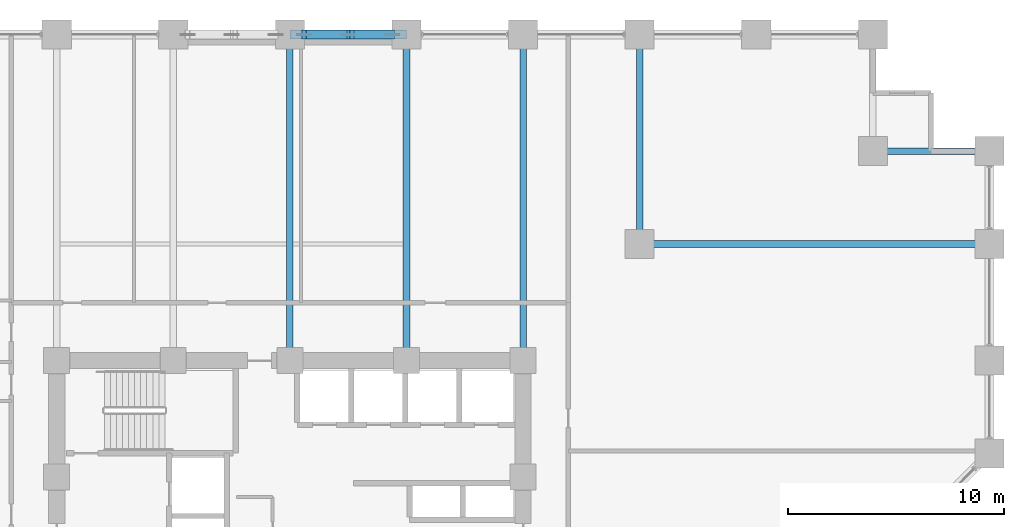
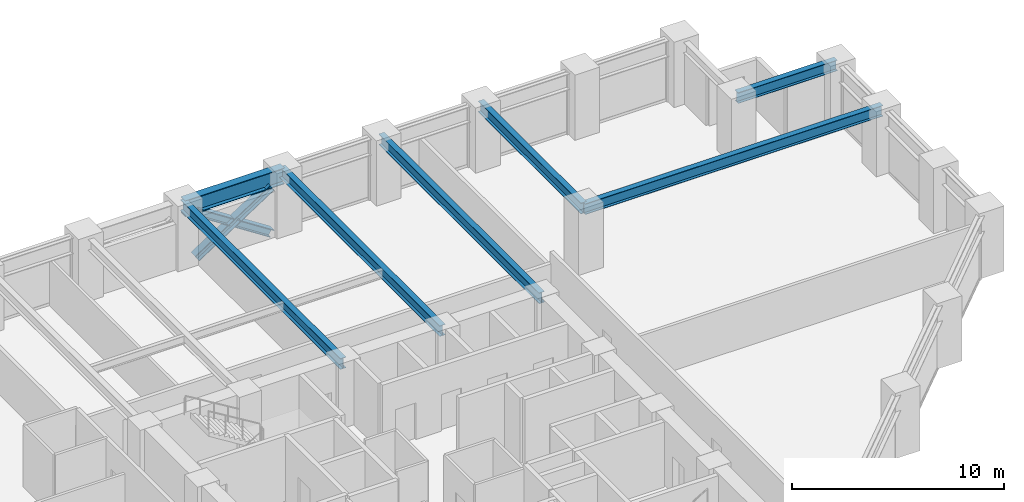
# One storey, part 14 of 25: 7 beams, 3 members.
"""IFC4 building model written with IfcOpenShell, lengths in metres."""

from ifc_helpers import new_model, si_unit, direction, frame, origin, origin_2d, place, context, subcontext, project, spatial, i_section, extrude, material, material_profile, profile_set, type_object, element, save


model = new_model("IFC4")

# Units and contexts
model_context = context("Model", 3, precision=1e-05, world=origin(), true_north=direction((0.0, 1.0)))
body_context = subcontext(model_context, "Body", "Model", "MODEL_VIEW")
ifc_project = project(units=[si_unit("LENGTHUNIT", "METRE"), si_unit("AREAUNIT", "SQUARE_METRE"), si_unit("VOLUMEUNIT", "CUBIC_METRE"), si_unit("PLANEANGLEUNIT", "RADIAN"), si_unit("MASSUNIT", "GRAM", prefix="KILO")], contexts=[model_context])

# Site, building, storey
site_placement = place(None, origin())
site = spatial("IfcSite", under=ifc_project, at=site_placement, CompositionType="ELEMENT")
building_placement = place(site_placement, origin())
building = spatial("IfcBuilding", under=site, at=building_placement, Name="Surkhivell Harbour Commons", CompositionType="ELEMENT")
storey_placement = place(building_placement, frame((0.0, 0.0, 45.0)))
storey = spatial("IfcBuildingStorey", under=building, at=storey_placement, Name="L11", CompositionType="ELEMENT", Elevation=45.0)

# Beams
ifc_material_1 = material(Name="Steel S355", Category="steel")
ifc_material_profile_1 = material_profile(ifc_material_1, i_section(OverallWidth=0.306884765625, OverallDepth=0.6201171875, WebThickness=0.01416015625, FlangeThickness=0.023681640625, at=origin_2d()), Name="UB610x305x179")
ifc_profile_set_1 = profile_set([ifc_material_profile_1], Name="Steel S355")
beam_type_1 = type_object("IfcBeamType", Name="BM-GRD-610A", PredefinedType="BEAM", material=ifc_profile_set_1)
for number, where, z_axis, x_axis, name in (
    (1, (0.0, 10.800048828125, 3.260009765625), (0.0, 1.0, 0.0), (-1.0, 0.0, 0.0), "L11 Floor Girder (0.0,10.8)"),
    (2, (5.39990234375, 10.800048828125, 3.260009765625), (0.0, 1.0, 0.0), (-1.0, 0.0, 0.0), "L11 Floor Girder (5.4,10.8)"),
    (3, (10.800048828125, 10.800048828125, 3.260009765625), (0.0, 1.0, 0.0), (-1.0, 0.0, 0.0), "L11 Floor Girder (10.8,10.8)"),
):
    element("IfcBeam", number, at=place(storey_placement, frame(where, z_axis=z_axis, x_axis=x_axis)), inside=storey, type_object=beam_type_1, Name=name, PredefinedType="BEAM", context=body_context, shape_type="SweptSolid", body=[
        extrude(i_section(OverallWidth=0.306884765625, OverallDepth=0.6201171875, WebThickness=0.01416015625, FlangeThickness=0.023681640625, at=origin_2d()), origin(), (0.0, 0.0, 1.0), 15.099853515625),
    ])
beam_1_placement = place(storey_placement, frame((16.199951171875, 16.199951171875, 3.260009765625), z_axis=(0.0, 1.0, 0.0), x_axis=(-1.0, 0.0, 0.0)))
element("IfcBeam", 4, at=beam_1_placement, inside=storey, type_object=beam_type_1, Name="L11 Floor Girder (16.2,16.2)", PredefinedType="BEAM", context=body_context, shape_type="SweptSolid", body=[
    extrude(i_section(OverallWidth=0.306884765625, OverallDepth=0.6201171875, WebThickness=0.01416015625, FlangeThickness=0.023681640625, at=origin_2d()), origin(), (0.0, 0.0, 1.0), 9.699951171875),
])
beam_2_placement = place(storey_placement, frame((16.199951171875, 16.199951171875, 3.260009765625), z_axis=(1.0, 0.0, 0.0), x_axis=(0.0, 1.0, 0.0)))
element("IfcBeam", 5, at=beam_2_placement, inside=storey, type_object=beam_type_1, Name="L11 Floor Girder (16.2,16.2)", PredefinedType="BEAM", context=body_context, shape_type="SweptSolid", body=[
    extrude(i_section(OverallWidth=0.306884765625, OverallDepth=0.6201171875, WebThickness=0.01416015625, FlangeThickness=0.023681640625, at=origin_2d()), origin(), (0.0, 0.0, 1.0), 16.199951171875),
])
beam_3_placement = place(storey_placement, frame((27.0, 20.5, 3.260009765625), z_axis=(1.0, 0.0, 0.0), x_axis=(0.0, 1.0, 0.0)))
element("IfcBeam", 6, at=beam_3_placement, inside=storey, type_object=beam_type_1, Name="L11 Floor Girder (27.0,20.5)", PredefinedType="BEAM", context=body_context, shape_type="SweptSolid", body=[
    extrude(i_section(OverallWidth=0.306884765625, OverallDepth=0.6201171875, WebThickness=0.01416015625, FlangeThickness=0.023681640625, at=origin_2d()), origin(), (0.0, 0.0, 1.0), 5.39990234375),
])
ifc_material_2 = material(Name="Steel S460", Category="steel")
ifc_material_profile_2 = material_profile(ifc_material_2, i_section(OverallWidth=0.419921875, OverallDepth=0.9208984375, WebThickness=0.021484375, FlangeThickness=0.03662109375, at=origin_2d()), Name="UB914x419x388")
ifc_profile_set_2 = profile_set([ifc_material_profile_2], Name="Steel S460")
beam_type_2 = type_object("IfcBeamType", Name="BM-SPN-914A", PredefinedType="SPANDREL", material=ifc_profile_set_2)
beam_4_placement = place(storey_placement, frame((0.0, 25.89990234375, 3.109619140625), z_axis=(1.0, 0.0, 0.0), x_axis=(0.0, 1.0, 0.0)))
element("IfcBeam", 7, at=beam_4_placement, inside=storey, type_object=beam_type_2, Name="L11 Tube Spandrel (-0.0,25.9)", PredefinedType="SPANDREL", context=body_context, shape_type="SweptSolid", body=[
    extrude(i_section(OverallWidth=0.419921875, OverallDepth=0.9208984375, WebThickness=0.021484375, FlangeThickness=0.03662109375, at=origin_2d()), origin(), (0.0, 0.0, 1.0), 5.39990234375),
])

# Members
ifc_material_profile_3 = material_profile(ifc_material_2, i_section(OverallWidth=0.406005859375, OverallDepth=0.416015625, WebThickness=0.026611328125, FlangeThickness=0.0390625, at=origin_2d()), Name="HD400x382")
ifc_profile_set_3 = profile_set([ifc_material_profile_3], Name="Steel S460")
member_type = type_object("IfcMemberType", Name="MEM-BRC-HD382", PredefinedType="BRACE", material=ifc_profile_set_3)
member_1_placement = place(storey_placement, frame((0.659912109375, 25.89990234375, 0.008056640625), z_axis=(0.83910375559, 0.0, 0.543971403067), x_axis=(0.0, 1.0, 0.0)))
element("IfcMember", 8, at=member_1_placement, inside=storey, type_object=member_type, Name="L11 Perimeter Mega-Brace MB- 04", PredefinedType="BRACE", context=body_context, shape_type="SweptSolid", body=[
    extrude(i_section(OverallWidth=0.406005859375, OverallDepth=0.416015625, WebThickness=0.026611328125, FlangeThickness=0.0390625, at=origin_2d()), origin(), (0.0, 0.0, 1.0), 4.8623046875),
])
member_2_placement = place(storey_placement, frame((4.739990234375, 25.89990234375, 0.008056640625), z_axis=(-0.83908547242, 0.0, 0.543999604756), x_axis=(0.0, -1.0, 0.0)))
element("IfcMember", 9, at=member_2_placement, inside=storey, type_object=member_type, Name="L11 Perimeter Mega-Brace MB- 05", PredefinedType="BRACE", context=body_context, shape_type="SweptSolid", body=[
    extrude(i_section(OverallWidth=0.406005859375, OverallDepth=0.416015625, WebThickness=0.026611328125, FlangeThickness=0.0390625, at=origin_2d()), origin(), (0.0, 0.0, 1.0), 2.2314453125),
])
member_3_placement = place(storey_placement, frame((2.532470703125, 25.89990234375, 1.439208984375), z_axis=(-0.839117847051, 0.0, 0.54394966565), x_axis=(0.0, -1.0, 0.0)))
element("IfcMember", 10, at=member_3_placement, inside=storey, type_object=member_type, Name="L11 Perimeter Mega-Brace MB- 06", PredefinedType="BRACE", context=body_context, shape_type="SweptSolid", body=[
    extrude(i_section(OverallWidth=0.406005859375, OverallDepth=0.416015625, WebThickness=0.026611328125, FlangeThickness=0.0390625, at=origin_2d()), origin(), (0.0, 0.0, 1.0), 2.231689453125),
])

save(model, "model.ifc")
